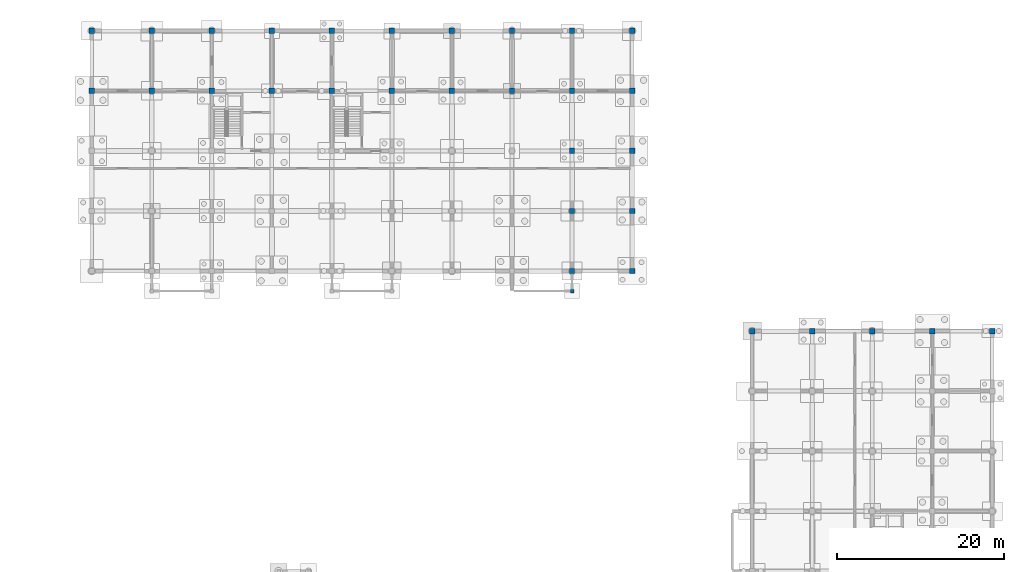
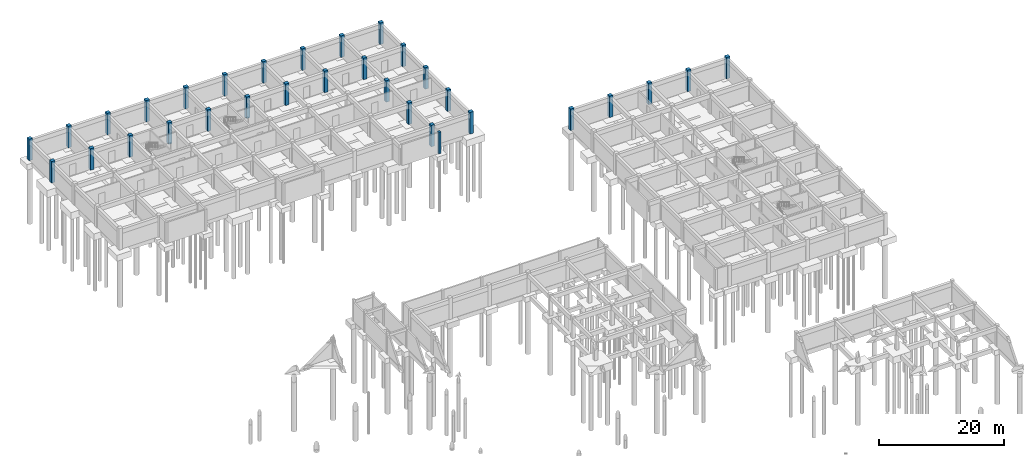
# One storey, part 19 of 38: 32 columns.
"""IFC4 building model written with IfcOpenShell, lengths in metres."""

from ifc_helpers import new_model, si_unit, direction, frame, origin, origin_2d, place, context, subcontext, project, spatial, rectangle, extrude, material, material_profile, profile_set, type_object, element, save


model = new_model("IFC4")

# Units and contexts
model_context = context("Model", 3, precision=1e-05, world=origin(), true_north=direction((0.0, 1.0)))
body_context = subcontext(model_context, "Body", "Model", "MODEL_VIEW")
ifc_project = project(units=[si_unit("LENGTHUNIT", "METRE"), si_unit("AREAUNIT", "SQUARE_METRE"), si_unit("VOLUMEUNIT", "CUBIC_METRE"), si_unit("PLANEANGLEUNIT", "RADIAN"), si_unit("MASSUNIT", "GRAM", prefix="KILO"), si_unit("THERMODYNAMICTEMPERATUREUNIT", "KELVIN"), si_unit("POWERUNIT", "WATT")], contexts=[model_context])

# Site, building, storey
site_placement = place(None, origin())
site = spatial("IfcSite", under=ifc_project, at=site_placement, CompositionType="ELEMENT")
building_placement = place(site_placement, origin())
building = spatial("IfcBuilding", under=site, at=building_placement, Name="Tavuni Mirador Residences", CompositionType="ELEMENT")
storey_placement = place(building_placement, frame((0.0, 0.0, -4.199951171875)))
storey = spatial("IfcBuildingStorey", under=building, at=storey_placement, Name="B1", CompositionType="ELEMENT", Elevation=-4.199951171875)

# Columns
ifc_material_1 = material(Name="Precast concrete C40/50", Category="concrete")
ifc_material_profile_1 = material_profile(ifc_material_1, rectangle(XDim=0.419921875, YDim=0.419921875, at=origin_2d()), Name="CORAL 420x420", Category="concrete")
ifc_profile_set_1 = profile_set([ifc_material_profile_1], Name="Precast concrete C40/50")
column_type_1 = type_object("IfcColumnType", Name="CT-PIL420", PredefinedType="PILASTER", material=ifc_profile_set_1)
column_placement = place(storey_placement, frame((68.39990234375, 141.60009765625, 0.0), z_axis=(0.0, 0.0, 1.0), x_axis=(1.0, 0.0, 0.0)))
element("IfcColumn", 1, at=column_placement, inside=storey, type_object=column_type_1, Name="COL-APR-BLKC-S3-1", PredefinedType="PILASTER", context=body_context, shape_type="SweptSolid", body=[
    extrude(rectangle(XDim=0.419921875, YDim=0.419921875, at=origin_2d()), origin(), (0.0, 0.0, 1.0), 4.199951171875),
])
ifc_material_2 = material(Name="In-situ concrete C35/45", Category="concrete")
ifc_material_profile_2 = material_profile(ifc_material_2, rectangle(XDim=0.64990234375, YDim=0.64990234375, at=origin_2d()), Name="RC 650x650", Category="concrete")
ifc_profile_set_2 = profile_set([ifc_material_profile_2], Name="In-situ concrete C35/45")
column_type_2 = type_object("IfcColumnType", Name="CT-RC650", PredefinedType="COLUMN", material=ifc_profile_set_2)
for number, where, z_axis, x_axis, name in (
    (2, (10.800048828125, 165.60009765625, 0.0), (0.0, 0.0, 1.0), (1.0, 0.0, 0.0), "COL-BLK-C-B1-00-03"),
    (3, (10.800048828125, 172.800048828125, 0.0), (0.0, 0.0, 1.0), (1.0, 0.0, 0.0), "COL-BLK-C-B1-00-04"),
    (4, (18.0, 165.60009765625, 0.0), (0.0, 0.0, 1.0), (1.0, 0.0, 0.0), "COL-BLK-C-B1-01-03"),
    (5, (18.0, 172.800048828125, 0.0), (0.0, 0.0, 1.0), (1.0, 0.0, 0.0), "COL-BLK-C-B1-01-04"),
    (6, (25.199951171875, 165.60009765625, 0.0), (0.0, 0.0, 1.0), (1.0, 0.0, 0.0), "COL-BLK-C-B1-02-03"),
    (7, (25.199951171875, 172.800048828125, 0.0), (0.0, 0.0, 1.0), (1.0, 0.0, 0.0), "COL-BLK-C-B1-02-04"),
    (8, (32.39990234375, 165.60009765625, 0.0), (0.0, 0.0, 1.0), (1.0, 0.0, 0.0), "COL-BLK-C-B1-03-03"),
    (9, (32.39990234375, 172.800048828125, 0.0), (0.0, 0.0, 1.0), (1.0, 0.0, 0.0), "COL-BLK-C-B1-03-04"),
    (10, (39.60009765625, 165.60009765625, 0.0), (0.0, 0.0, 1.0), (1.0, 0.0, 0.0), "COL-BLK-C-B1-04-03"),
    (11, (39.60009765625, 172.800048828125, 0.0), (0.0, 0.0, 1.0), (1.0, 0.0, 0.0), "COL-BLK-C-B1-04-04"),
    (12, (46.800048828125, 165.60009765625, 0.0), (0.0, 0.0, 1.0), (1.0, 0.0, 0.0), "COL-BLK-C-B1-05-03"),
    (13, (46.800048828125, 172.800048828125, 0.0), (0.0, 0.0, 1.0), (1.0, 0.0, 0.0), "COL-BLK-C-B1-05-04"),
    (14, (54.0, 165.60009765625, 0.0), (0.0, 0.0, 1.0), (1.0, 0.0, 0.0), "COL-BLK-C-B1-06-03"),
    (15, (54.0, 172.800048828125, 0.0), (0.0, 0.0, 1.0), (1.0, 0.0, 0.0), "COL-BLK-C-B1-06-04"),
    (16, (61.199951171875, 165.60009765625, 0.0), (0.0, 0.0, 1.0), (1.0, 0.0, 0.0), "COL-BLK-C-B1-07-03"),
    (17, (61.199951171875, 172.800048828125, 0.0), (0.0, 0.0, 1.0), (1.0, 0.0, 0.0), "COL-BLK-C-B1-07-04"),
    (18, (68.39990234375, 144.0, 0.0), (0.0, 0.0, 1.0), (1.0, 0.0, 0.0), "COL-BLK-C-B1-08-00"),
    (19, (68.39990234375, 151.199951171875, 0.0), (0.0, 0.0, 1.0), (1.0, 0.0, 0.0), "COL-BLK-C-B1-08-01"),
    (20, (68.39990234375, 158.39990234375, 0.0), (0.0, 0.0, 1.0), (1.0, 0.0, 0.0), "COL-BLK-C-B1-08-02"),
    (21, (68.39990234375, 165.60009765625, 0.0), (0.0, 0.0, 1.0), (1.0, 0.0, 0.0), "COL-BLK-C-B1-08-03"),
    (22, (68.39990234375, 172.800048828125, 0.0), (0.0, 0.0, 1.0), (1.0, 0.0, 0.0), "COL-BLK-C-B1-08-04"),
    (23, (75.60009765625, 144.0, 0.0), (0.0, 0.0, 1.0), (1.0, 0.0, 0.0), "COL-BLK-C-B1-09-00"),
    (24, (75.60009765625, 151.199951171875, 0.0), (0.0, 0.0, 1.0), (1.0, 0.0, 0.0), "COL-BLK-C-B1-09-01"),
    (25, (75.60009765625, 158.39990234375, 0.0), (0.0, 0.0, 1.0), (1.0, 0.0, 0.0), "COL-BLK-C-B1-09-02"),
    (26, (75.60009765625, 165.60009765625, 0.0), (0.0, 0.0, 1.0), (1.0, 0.0, 0.0), "COL-BLK-C-B1-09-03"),
    (27, (75.60009765625, 172.800048828125, 0.0), (0.0, 0.0, 1.0), (1.0, 0.0, 0.0), "COL-BLK-C-B1-09-04"),
    (28, (90.0, 136.800048828125, 0.0), (0.0, 0.0, 1.0), (1.0, 0.0, 0.0), "COL-BLK-D-B1-00-07"),
    (29, (97.199951171875, 136.800048828125, 0.0), (0.0, 0.0, 1.0), (1.0, 0.0, 0.0), "COL-BLK-D-B1-01-07"),
    (30, (104.39990234375, 136.800048828125, 0.0), (0.0, 0.0, 1.0), (1.0, 0.0, 0.0), "COL-BLK-D-B1-02-07"),
    (31, (111.60009765625, 136.800048828125, 0.0), (0.0, 0.0, 1.0), (1.0, 0.0, 0.0), "COL-BLK-D-B1-03-07"),
    (32, (118.800048828125, 136.800048828125, 0.0), (0.0, 0.0, 1.0), (1.0, 0.0, 0.0), "COL-BLK-D-B1-04-07"),
):
    element("IfcColumn", number, at=place(storey_placement, frame(where, z_axis=z_axis, x_axis=x_axis)), inside=storey, type_object=column_type_2, Name=name, PredefinedType="COLUMN", context=body_context, shape_type="SweptSolid", body=[
        extrude(rectangle(XDim=0.64990234375, YDim=0.64990234375, at=origin_2d()), origin(), (0.0, 0.0, 1.0), 4.199951171875),
    ])

save(model, "model.ifc")
